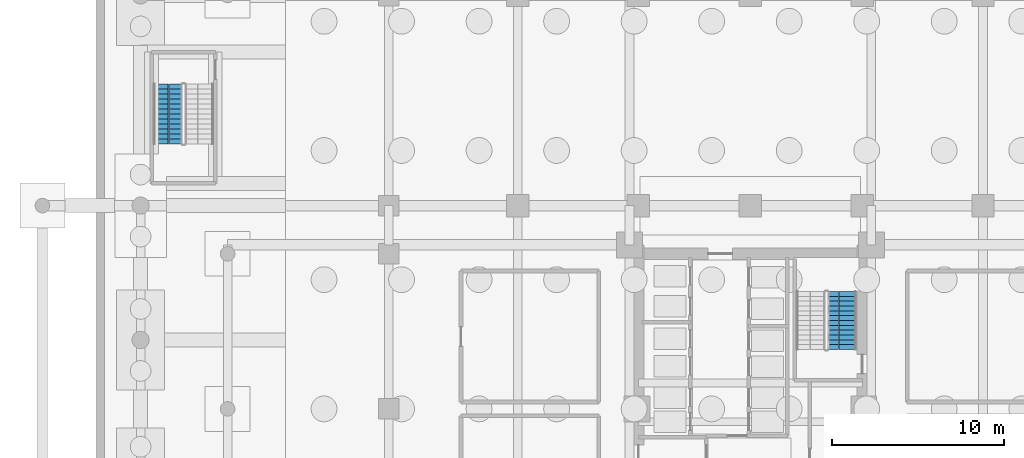
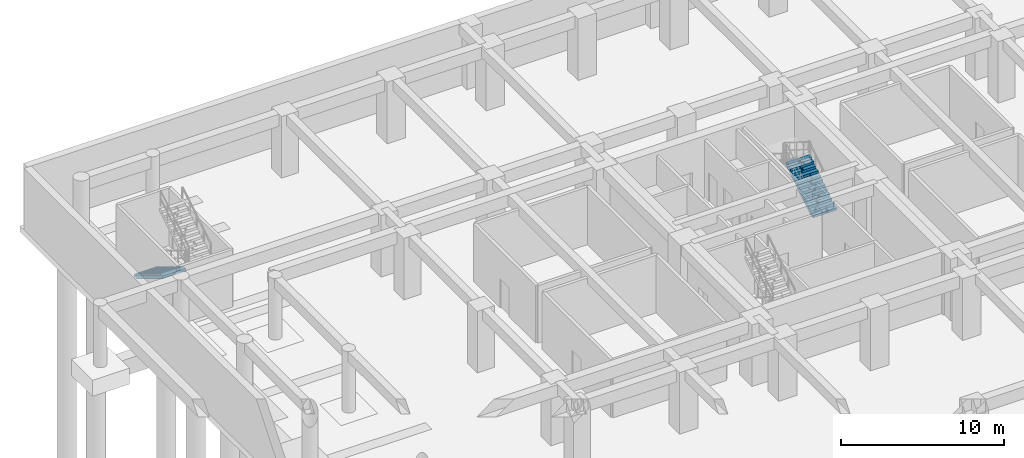
# One storey, part 7 of 14: 2 stair flights, 2 elements without a shape of their own.
"""IFC4 building model written with IfcOpenShell, lengths in metres."""

from ifc_helpers import new_model, si_unit, direction, frame, origin, place, context, subcontext, project, spatial, polyline, outline, extrude, material, type_object, element, aggregate, save


model = new_model("IFC4")

# Units and contexts
model_context = context("Model", 3, precision=1e-05, world=origin(), true_north=direction((0.0, 1.0)))
body_context = subcontext(model_context, "Body", "Model", "MODEL_VIEW")
ifc_project = project(units=[si_unit("LENGTHUNIT", "METRE"), si_unit("AREAUNIT", "SQUARE_METRE"), si_unit("VOLUMEUNIT", "CUBIC_METRE"), si_unit("PLANEANGLEUNIT", "RADIAN"), si_unit("MASSUNIT", "GRAM", prefix="KILO")], contexts=[model_context])

# Site, building, storey
site_placement = place(None, origin())
site = spatial("IfcSite", under=ifc_project, at=site_placement, CompositionType="ELEMENT")
building_placement = place(site_placement, origin())
building = spatial("IfcBuilding", under=site, at=building_placement, Name="Saelheon Loggia Tower", CompositionType="ELEMENT")
storey_placement = place(building_placement, frame((0.0, 0.0, -9.199951171875)))
storey = spatial("IfcBuildingStorey", under=building, at=storey_placement, Name="B2", CompositionType="ELEMENT", Elevation=-9.199951171875)

# Stair, stair flight
ifc_material = material(Name="Concrete C40/50", Category="concrete")
stair_type_1 = type_object("IfcStairType", Name="Stair_Escape_Podium", PredefinedType="HALF_TURN_STAIR", material=ifc_material)
stair_1_placement = place(storey_placement, origin())
stair_1 = element("IfcStair", 1, at=stair_1_placement, inside=storey, type_object=stair_type_1, Name="B2 Podium Escape Stair ST3", PredefinedType="HALF_TURN_STAIR")
stair_flight_type_1 = type_object("IfcStairFlightType", Name="StairFlight_Podium_1660", PredefinedType="STRAIGHT", material=ifc_material)
stair_flight_1_placement = place(storey_placement, frame((4.179931640625, 45.85009765625, 0.0), z_axis=(0.0, 0.0, 1.0), x_axis=(0.0, -1.0, 0.0)))
stair_flight_1 = element("IfcStairFlight", 2, at=stair_flight_1_placement, type_object=stair_flight_type_1, Name="ST3 flight 1", NumberOfRisers=13, NumberOfTreads=12, PredefinedType="STRAIGHT", RiserHeight=0.176923077, TreadLength=0.29, context=body_context, shape_type="SweptSolid", body=[
    extrude(outline(polyline([(0.0, 0.0), (0.0, 0.177001953125), (0.2900390625, 0.177001953125), (0.2900390625, 0.353759765625), (0.580078125, 0.353759765625), (0.580078125, 0.53076171875), (0.8701171875, 0.53076171875), (0.8701171875, 0.707763671875), (1.159912109375, 0.707763671875), (1.159912109375, 0.884521484375), (1.449951171875, 0.884521484375), (1.449951171875, 1.0615234375), (1.739990234375, 1.0615234375), (1.739990234375, 1.238525390625), (2.030029296875, 1.238525390625), (2.030029296875, 1.415283203125), (2.320068359375, 1.415283203125), (2.320068359375, 1.59228515625), (2.610107421875, 1.59228515625), (2.610107421875, 1.769287109375), (2.89990234375, 1.769287109375), (2.89990234375, 1.946044921875), (3.18994140625, 1.946044921875), (3.18994140625, 2.123046875), (3.47998046875, 2.123046875), (3.47998046875, 2.300048828125), (3.47998046875, 1.912353515625), (0.345458984375, 0.0), (0.0, 0.0)])), frame((0.0, -0.2490234375, 0.0), z_axis=(0.0, -1.0, 0.0), x_axis=(1.0, 0.0, 0.0)), (0.0, 0.0, 1.0), 0.5810546875),
    extrude(outline(polyline([(0.0, 0.0), (0.0, 0.177001953125), (0.2900390625, 0.177001953125), (0.2900390625, 0.353759765625), (0.580078125, 0.353759765625), (0.580078125, 0.53076171875), (0.8701171875, 0.53076171875), (0.8701171875, 0.707763671875), (1.159912109375, 0.707763671875), (1.159912109375, 0.884521484375), (1.449951171875, 0.884521484375), (1.449951171875, 1.0615234375), (1.739990234375, 1.0615234375), (1.739990234375, 1.238525390625), (2.030029296875, 1.238525390625), (2.030029296875, 1.415283203125), (2.320068359375, 1.415283203125), (2.320068359375, 1.59228515625), (2.610107421875, 1.59228515625), (2.610107421875, 1.769287109375), (2.89990234375, 1.769287109375), (2.89990234375, 1.946044921875), (3.18994140625, 1.946044921875), (3.18994140625, 2.123046875), (3.47998046875, 2.123046875), (3.47998046875, 2.300048828125), (3.47998046875, 1.912353515625), (0.345458984375, 0.0), (0.0, 0.0)])), frame((0.0, -0.194091796875, 0.0), z_axis=(0.0, -1.0, 0.0), x_axis=(1.0, 0.0, 0.0)), (0.0, 0.0, 1.0), 0.0498046875),
    extrude(outline(polyline([(0.0, 0.0), (0.0, 0.177001953125), (0.2900390625, 0.177001953125), (0.2900390625, 0.353759765625), (0.580078125, 0.353759765625), (0.580078125, 0.53076171875), (0.8701171875, 0.53076171875), (0.8701171875, 0.707763671875), (1.159912109375, 0.707763671875), (1.159912109375, 0.884521484375), (1.449951171875, 0.884521484375), (1.449951171875, 1.0615234375), (1.739990234375, 1.0615234375), (1.739990234375, 1.238525390625), (2.030029296875, 1.238525390625), (2.030029296875, 1.415283203125), (2.320068359375, 1.415283203125), (2.320068359375, 1.59228515625), (2.610107421875, 1.59228515625), (2.610107421875, 1.769287109375), (2.89990234375, 1.769287109375), (2.89990234375, 1.946044921875), (3.18994140625, 1.946044921875), (3.18994140625, 2.123046875), (3.47998046875, 2.123046875), (3.47998046875, 2.300048828125), (3.47998046875, 1.912353515625), (0.345458984375, 0.0), (0.0, 0.0)])), frame((0.0, -0.139404296875, 0.0), z_axis=(0.0, -1.0, 0.0), x_axis=(1.0, 0.0, 0.0)), (0.0, 0.0, 1.0), 0.0498046875),
    extrude(outline(polyline([(0.0, 0.0), (0.0, 0.177001953125), (0.2900390625, 0.177001953125), (0.2900390625, 0.353759765625), (0.580078125, 0.353759765625), (0.580078125, 0.53076171875), (0.8701171875, 0.53076171875), (0.8701171875, 0.707763671875), (1.159912109375, 0.707763671875), (1.159912109375, 0.884521484375), (1.449951171875, 0.884521484375), (1.449951171875, 1.0615234375), (1.739990234375, 1.0615234375), (1.739990234375, 1.238525390625), (2.030029296875, 1.238525390625), (2.030029296875, 1.415283203125), (2.320068359375, 1.415283203125), (2.320068359375, 1.59228515625), (2.610107421875, 1.59228515625), (2.610107421875, 1.769287109375), (2.89990234375, 1.769287109375), (2.89990234375, 1.946044921875), (3.18994140625, 1.946044921875), (3.18994140625, 2.123046875), (3.47998046875, 2.123046875), (3.47998046875, 2.300048828125), (3.47998046875, 1.912353515625), (0.345458984375, 0.0), (0.0, 0.0)])), frame((0.0, -0.084716796875, 0.0), z_axis=(0.0, -1.0, 0.0), x_axis=(1.0, 0.0, 0.0)), (0.0, 0.0, 1.0), 0.0498046875),
    extrude(outline(polyline([(0.0, 0.0), (0.0, 0.177001953125), (0.2900390625, 0.177001953125), (0.2900390625, 0.353759765625), (0.580078125, 0.353759765625), (0.580078125, 0.53076171875), (0.8701171875, 0.53076171875), (0.8701171875, 0.707763671875), (1.159912109375, 0.707763671875), (1.159912109375, 0.884521484375), (1.449951171875, 0.884521484375), (1.449951171875, 1.0615234375), (1.739990234375, 1.0615234375), (1.739990234375, 1.238525390625), (2.030029296875, 1.238525390625), (2.030029296875, 1.415283203125), (2.320068359375, 1.415283203125), (2.320068359375, 1.59228515625), (2.610107421875, 1.59228515625), (2.610107421875, 1.769287109375), (2.89990234375, 1.769287109375), (2.89990234375, 1.946044921875), (3.18994140625, 1.946044921875), (3.18994140625, 2.123046875), (3.47998046875, 2.123046875), (3.47998046875, 2.300048828125), (3.47998046875, 1.912353515625), (0.345458984375, 0.0), (0.0, 0.0)])), frame((0.0, -0.02978515625, 0.0), z_axis=(0.0, -1.0, 0.0), x_axis=(1.0, 0.0, 0.0)), (0.0, 0.0, 1.0), 0.0498046875),
    extrude(outline(polyline([(0.0, 0.0), (0.0, 0.177001953125), (0.2900390625, 0.177001953125), (0.2900390625, 0.353759765625), (0.580078125, 0.353759765625), (0.580078125, 0.53076171875), (0.8701171875, 0.53076171875), (0.8701171875, 0.707763671875), (1.159912109375, 0.707763671875), (1.159912109375, 0.884521484375), (1.449951171875, 0.884521484375), (1.449951171875, 1.0615234375), (1.739990234375, 1.0615234375), (1.739990234375, 1.238525390625), (2.030029296875, 1.238525390625), (2.030029296875, 1.415283203125), (2.320068359375, 1.415283203125), (2.320068359375, 1.59228515625), (2.610107421875, 1.59228515625), (2.610107421875, 1.769287109375), (2.89990234375, 1.769287109375), (2.89990234375, 1.946044921875), (3.18994140625, 1.946044921875), (3.18994140625, 2.123046875), (3.47998046875, 2.123046875), (3.47998046875, 2.300048828125), (3.47998046875, 1.912353515625), (0.345458984375, 0.0), (0.0, 0.0)])), frame((0.0, 0.02490234375, 0.0), z_axis=(0.0, -1.0, 0.0), x_axis=(1.0, 0.0, 0.0)), (0.0, 0.0, 1.0), 0.0498046875),
    extrude(outline(polyline([(0.0, 0.0), (0.0, 0.177001953125), (0.2900390625, 0.177001953125), (0.2900390625, 0.353759765625), (0.580078125, 0.353759765625), (0.580078125, 0.53076171875), (0.8701171875, 0.53076171875), (0.8701171875, 0.707763671875), (1.159912109375, 0.707763671875), (1.159912109375, 0.884521484375), (1.449951171875, 0.884521484375), (1.449951171875, 1.0615234375), (1.739990234375, 1.0615234375), (1.739990234375, 1.238525390625), (2.030029296875, 1.238525390625), (2.030029296875, 1.415283203125), (2.320068359375, 1.415283203125), (2.320068359375, 1.59228515625), (2.610107421875, 1.59228515625), (2.610107421875, 1.769287109375), (2.89990234375, 1.769287109375), (2.89990234375, 1.946044921875), (3.18994140625, 1.946044921875), (3.18994140625, 2.123046875), (3.47998046875, 2.123046875), (3.47998046875, 2.300048828125), (3.47998046875, 1.912353515625), (0.345458984375, 0.0), (0.0, 0.0)])), frame((0.0, 0.07958984375, 0.0), z_axis=(0.0, -1.0, 0.0), x_axis=(1.0, 0.0, 0.0)), (0.0, 0.0, 1.0), 0.0498046875),
    extrude(outline(polyline([(0.0, 0.0), (0.0, 0.177001953125), (0.2900390625, 0.177001953125), (0.2900390625, 0.353759765625), (0.580078125, 0.353759765625), (0.580078125, 0.53076171875), (0.8701171875, 0.53076171875), (0.8701171875, 0.707763671875), (1.159912109375, 0.707763671875), (1.159912109375, 0.884521484375), (1.449951171875, 0.884521484375), (1.449951171875, 1.0615234375), (1.739990234375, 1.0615234375), (1.739990234375, 1.238525390625), (2.030029296875, 1.238525390625), (2.030029296875, 1.415283203125), (2.320068359375, 1.415283203125), (2.320068359375, 1.59228515625), (2.610107421875, 1.59228515625), (2.610107421875, 1.769287109375), (2.89990234375, 1.769287109375), (2.89990234375, 1.946044921875), (3.18994140625, 1.946044921875), (3.18994140625, 2.123046875), (3.47998046875, 2.123046875), (3.47998046875, 2.300048828125), (3.47998046875, 1.912353515625), (0.345458984375, 0.0), (0.0, 0.0)])), frame((0.0, 0.134521484375, 0.0), z_axis=(0.0, -1.0, 0.0), x_axis=(1.0, 0.0, 0.0)), (0.0, 0.0, 1.0), 0.0498046875),
    extrude(outline(polyline([(0.0, 0.0), (0.0, 0.177001953125), (0.2900390625, 0.177001953125), (0.2900390625, 0.353759765625), (0.580078125, 0.353759765625), (0.580078125, 0.53076171875), (0.8701171875, 0.53076171875), (0.8701171875, 0.707763671875), (1.159912109375, 0.707763671875), (1.159912109375, 0.884521484375), (1.449951171875, 0.884521484375), (1.449951171875, 1.0615234375), (1.739990234375, 1.0615234375), (1.739990234375, 1.238525390625), (2.030029296875, 1.238525390625), (2.030029296875, 1.415283203125), (2.320068359375, 1.415283203125), (2.320068359375, 1.59228515625), (2.610107421875, 1.59228515625), (2.610107421875, 1.769287109375), (2.89990234375, 1.769287109375), (2.89990234375, 1.946044921875), (3.18994140625, 1.946044921875), (3.18994140625, 2.123046875), (3.47998046875, 2.123046875), (3.47998046875, 2.300048828125), (3.47998046875, 1.912353515625), (0.345458984375, 0.0), (0.0, 0.0)])), frame((0.0, 0.189208984375, 0.0), z_axis=(0.0, -1.0, 0.0), x_axis=(1.0, 0.0, 0.0)), (0.0, 0.0, 1.0), 0.0498046875),
    extrude(outline(polyline([(0.0, 0.0), (0.0, 0.177001953125), (0.2900390625, 0.177001953125), (0.2900390625, 0.353759765625), (0.580078125, 0.353759765625), (0.580078125, 0.53076171875), (0.8701171875, 0.53076171875), (0.8701171875, 0.707763671875), (1.159912109375, 0.707763671875), (1.159912109375, 0.884521484375), (1.449951171875, 0.884521484375), (1.449951171875, 1.0615234375), (1.739990234375, 1.0615234375), (1.739990234375, 1.238525390625), (2.030029296875, 1.238525390625), (2.030029296875, 1.415283203125), (2.320068359375, 1.415283203125), (2.320068359375, 1.59228515625), (2.610107421875, 1.59228515625), (2.610107421875, 1.769287109375), (2.89990234375, 1.769287109375), (2.89990234375, 1.946044921875), (3.18994140625, 1.946044921875), (3.18994140625, 2.123046875), (3.47998046875, 2.123046875), (3.47998046875, 2.300048828125), (3.47998046875, 1.912353515625), (0.345458984375, 0.0), (0.0, 0.0)])), frame((0.0, 0.243896484375, 0.0), z_axis=(0.0, -1.0, 0.0), x_axis=(1.0, 0.0, 0.0)), (0.0, 0.0, 1.0), 0.0498046875),
    extrude(outline(polyline([(0.0, 0.0), (0.0, 0.177001953125), (0.2900390625, 0.177001953125), (0.2900390625, 0.353759765625), (0.580078125, 0.353759765625), (0.580078125, 0.53076171875), (0.8701171875, 0.53076171875), (0.8701171875, 0.707763671875), (1.159912109375, 0.707763671875), (1.159912109375, 0.884521484375), (1.449951171875, 0.884521484375), (1.449951171875, 1.0615234375), (1.739990234375, 1.0615234375), (1.739990234375, 1.238525390625), (2.030029296875, 1.238525390625), (2.030029296875, 1.415283203125), (2.320068359375, 1.415283203125), (2.320068359375, 1.59228515625), (2.610107421875, 1.59228515625), (2.610107421875, 1.769287109375), (2.89990234375, 1.769287109375), (2.89990234375, 1.946044921875), (3.18994140625, 1.946044921875), (3.18994140625, 2.123046875), (3.47998046875, 2.123046875), (3.47998046875, 2.300048828125), (3.47998046875, 1.912353515625), (0.345458984375, 0.0), (0.0, 0.0)])), frame((0.0, 0.830078125, 0.0), z_axis=(0.0, -1.0, 0.0), x_axis=(1.0, 0.0, 0.0)), (0.0, 0.0, 1.0), 0.5810546875),
])
aggregate(stair_1, [stair_flight_1])

stair_type_2 = type_object("IfcStairType", Name="Stair_Escape_Core", PredefinedType="HALF_TURN_STAIR", material=ifc_material)
stair_2_placement = place(storey_placement, origin())
stair_2 = element("IfcStair", 3, at=stair_2_placement, inside=storey, type_object=stair_type_2, Name="B2 Special Escape Stair ST2", PredefinedType="HALF_TURN_STAIR")
stair_flight_type_2 = type_object("IfcStairFlightType", Name="StairFlight_Tower_1660", PredefinedType="STRAIGHT", material=ifc_material)
stair_flight_2_placement = place(storey_placement, frame((43.320068359375, 30.449951171875, 0.0), z_axis=(0.0, 0.0, 1.0), x_axis=(0.0, 1.0, 0.0)))
stair_flight_2 = element("IfcStairFlight", 4, at=stair_flight_2_placement, type_object=stair_flight_type_2, Name="ST2 flight 1", NumberOfRisers=13, NumberOfTreads=12, PredefinedType="STRAIGHT", RiserHeight=0.176923077, TreadLength=0.28, context=body_context, shape_type="SweptSolid", body=[
    extrude(outline(polyline([(0.0, 0.0), (0.0, 0.177001953125), (0.280029296875, 0.177001953125), (0.280029296875, 0.353759765625), (0.56005859375, 0.353759765625), (0.56005859375, 0.53076171875), (0.840087890625, 0.53076171875), (0.840087890625, 0.707763671875), (1.1201171875, 0.707763671875), (1.1201171875, 0.884521484375), (1.39990234375, 0.884521484375), (1.39990234375, 1.0615234375), (1.679931640625, 1.0615234375), (1.679931640625, 1.238525390625), (1.9599609375, 1.238525390625), (1.9599609375, 1.415283203125), (2.239990234375, 1.415283203125), (2.239990234375, 1.59228515625), (2.52001953125, 1.59228515625), (2.52001953125, 1.769287109375), (2.800048828125, 1.769287109375), (2.800048828125, 1.946044921875), (3.080078125, 1.946044921875), (3.080078125, 2.123046875), (3.360107421875, 2.123046875), (3.360107421875, 2.300048828125), (3.360107421875, 1.91015625), (0.3369140625, 0.0), (0.0, 0.0)])), frame((0.0, -0.2490234375, 0.0), z_axis=(0.0, -1.0, 0.0), x_axis=(1.0, 0.0, 0.0)), (0.0, 0.0, 1.0), 0.5810546875),
    extrude(outline(polyline([(0.0, 0.0), (0.0, 0.177001953125), (0.280029296875, 0.177001953125), (0.280029296875, 0.353759765625), (0.56005859375, 0.353759765625), (0.56005859375, 0.53076171875), (0.840087890625, 0.53076171875), (0.840087890625, 0.707763671875), (1.1201171875, 0.707763671875), (1.1201171875, 0.884521484375), (1.39990234375, 0.884521484375), (1.39990234375, 1.0615234375), (1.679931640625, 1.0615234375), (1.679931640625, 1.238525390625), (1.9599609375, 1.238525390625), (1.9599609375, 1.415283203125), (2.239990234375, 1.415283203125), (2.239990234375, 1.59228515625), (2.52001953125, 1.59228515625), (2.52001953125, 1.769287109375), (2.800048828125, 1.769287109375), (2.800048828125, 1.946044921875), (3.080078125, 1.946044921875), (3.080078125, 2.123046875), (3.360107421875, 2.123046875), (3.360107421875, 2.300048828125), (3.360107421875, 1.91015625), (0.3369140625, 0.0), (0.0, 0.0)])), frame((0.0, -0.194091796875, 0.0), z_axis=(0.0, -1.0, 0.0), x_axis=(1.0, 0.0, 0.0)), (0.0, 0.0, 1.0), 0.0498046875),
    extrude(outline(polyline([(0.0, 0.0), (0.0, 0.177001953125), (0.280029296875, 0.177001953125), (0.280029296875, 0.353759765625), (0.56005859375, 0.353759765625), (0.56005859375, 0.53076171875), (0.840087890625, 0.53076171875), (0.840087890625, 0.707763671875), (1.1201171875, 0.707763671875), (1.1201171875, 0.884521484375), (1.39990234375, 0.884521484375), (1.39990234375, 1.0615234375), (1.679931640625, 1.0615234375), (1.679931640625, 1.238525390625), (1.9599609375, 1.238525390625), (1.9599609375, 1.415283203125), (2.239990234375, 1.415283203125), (2.239990234375, 1.59228515625), (2.52001953125, 1.59228515625), (2.52001953125, 1.769287109375), (2.800048828125, 1.769287109375), (2.800048828125, 1.946044921875), (3.080078125, 1.946044921875), (3.080078125, 2.123046875), (3.360107421875, 2.123046875), (3.360107421875, 2.300048828125), (3.360107421875, 1.91015625), (0.3369140625, 0.0), (0.0, 0.0)])), frame((0.0, -0.139404296875, 0.0), z_axis=(0.0, -1.0, 0.0), x_axis=(1.0, 0.0, 0.0)), (0.0, 0.0, 1.0), 0.0498046875),
    extrude(outline(polyline([(0.0, 0.0), (0.0, 0.177001953125), (0.280029296875, 0.177001953125), (0.280029296875, 0.353759765625), (0.56005859375, 0.353759765625), (0.56005859375, 0.53076171875), (0.840087890625, 0.53076171875), (0.840087890625, 0.707763671875), (1.1201171875, 0.707763671875), (1.1201171875, 0.884521484375), (1.39990234375, 0.884521484375), (1.39990234375, 1.0615234375), (1.679931640625, 1.0615234375), (1.679931640625, 1.238525390625), (1.9599609375, 1.238525390625), (1.9599609375, 1.415283203125), (2.239990234375, 1.415283203125), (2.239990234375, 1.59228515625), (2.52001953125, 1.59228515625), (2.52001953125, 1.769287109375), (2.800048828125, 1.769287109375), (2.800048828125, 1.946044921875), (3.080078125, 1.946044921875), (3.080078125, 2.123046875), (3.360107421875, 2.123046875), (3.360107421875, 2.300048828125), (3.360107421875, 1.91015625), (0.3369140625, 0.0), (0.0, 0.0)])), frame((0.0, -0.084716796875, 0.0), z_axis=(0.0, -1.0, 0.0), x_axis=(1.0, 0.0, 0.0)), (0.0, 0.0, 1.0), 0.0498046875),
    extrude(outline(polyline([(0.0, 0.0), (0.0, 0.177001953125), (0.280029296875, 0.177001953125), (0.280029296875, 0.353759765625), (0.56005859375, 0.353759765625), (0.56005859375, 0.53076171875), (0.840087890625, 0.53076171875), (0.840087890625, 0.707763671875), (1.1201171875, 0.707763671875), (1.1201171875, 0.884521484375), (1.39990234375, 0.884521484375), (1.39990234375, 1.0615234375), (1.679931640625, 1.0615234375), (1.679931640625, 1.238525390625), (1.9599609375, 1.238525390625), (1.9599609375, 1.415283203125), (2.239990234375, 1.415283203125), (2.239990234375, 1.59228515625), (2.52001953125, 1.59228515625), (2.52001953125, 1.769287109375), (2.800048828125, 1.769287109375), (2.800048828125, 1.946044921875), (3.080078125, 1.946044921875), (3.080078125, 2.123046875), (3.360107421875, 2.123046875), (3.360107421875, 2.300048828125), (3.360107421875, 1.91015625), (0.3369140625, 0.0), (0.0, 0.0)])), frame((0.0, -0.02978515625, 0.0), z_axis=(0.0, -1.0, 0.0), x_axis=(1.0, 0.0, 0.0)), (0.0, 0.0, 1.0), 0.0498046875),
    extrude(outline(polyline([(0.0, 0.0), (0.0, 0.177001953125), (0.280029296875, 0.177001953125), (0.280029296875, 0.353759765625), (0.56005859375, 0.353759765625), (0.56005859375, 0.53076171875), (0.840087890625, 0.53076171875), (0.840087890625, 0.707763671875), (1.1201171875, 0.707763671875), (1.1201171875, 0.884521484375), (1.39990234375, 0.884521484375), (1.39990234375, 1.0615234375), (1.679931640625, 1.0615234375), (1.679931640625, 1.238525390625), (1.9599609375, 1.238525390625), (1.9599609375, 1.415283203125), (2.239990234375, 1.415283203125), (2.239990234375, 1.59228515625), (2.52001953125, 1.59228515625), (2.52001953125, 1.769287109375), (2.800048828125, 1.769287109375), (2.800048828125, 1.946044921875), (3.080078125, 1.946044921875), (3.080078125, 2.123046875), (3.360107421875, 2.123046875), (3.360107421875, 2.300048828125), (3.360107421875, 1.91015625), (0.3369140625, 0.0), (0.0, 0.0)])), frame((0.0, 0.02490234375, 0.0), z_axis=(0.0, -1.0, 0.0), x_axis=(1.0, 0.0, 0.0)), (0.0, 0.0, 1.0), 0.0498046875),
    extrude(outline(polyline([(0.0, 0.0), (0.0, 0.177001953125), (0.280029296875, 0.177001953125), (0.280029296875, 0.353759765625), (0.56005859375, 0.353759765625), (0.56005859375, 0.53076171875), (0.840087890625, 0.53076171875), (0.840087890625, 0.707763671875), (1.1201171875, 0.707763671875), (1.1201171875, 0.884521484375), (1.39990234375, 0.884521484375), (1.39990234375, 1.0615234375), (1.679931640625, 1.0615234375), (1.679931640625, 1.238525390625), (1.9599609375, 1.238525390625), (1.9599609375, 1.415283203125), (2.239990234375, 1.415283203125), (2.239990234375, 1.59228515625), (2.52001953125, 1.59228515625), (2.52001953125, 1.769287109375), (2.800048828125, 1.769287109375), (2.800048828125, 1.946044921875), (3.080078125, 1.946044921875), (3.080078125, 2.123046875), (3.360107421875, 2.123046875), (3.360107421875, 2.300048828125), (3.360107421875, 1.91015625), (0.3369140625, 0.0), (0.0, 0.0)])), frame((0.0, 0.07958984375, 0.0), z_axis=(0.0, -1.0, 0.0), x_axis=(1.0, 0.0, 0.0)), (0.0, 0.0, 1.0), 0.0498046875),
    extrude(outline(polyline([(0.0, 0.0), (0.0, 0.177001953125), (0.280029296875, 0.177001953125), (0.280029296875, 0.353759765625), (0.56005859375, 0.353759765625), (0.56005859375, 0.53076171875), (0.840087890625, 0.53076171875), (0.840087890625, 0.707763671875), (1.1201171875, 0.707763671875), (1.1201171875, 0.884521484375), (1.39990234375, 0.884521484375), (1.39990234375, 1.0615234375), (1.679931640625, 1.0615234375), (1.679931640625, 1.238525390625), (1.9599609375, 1.238525390625), (1.9599609375, 1.415283203125), (2.239990234375, 1.415283203125), (2.239990234375, 1.59228515625), (2.52001953125, 1.59228515625), (2.52001953125, 1.769287109375), (2.800048828125, 1.769287109375), (2.800048828125, 1.946044921875), (3.080078125, 1.946044921875), (3.080078125, 2.123046875), (3.360107421875, 2.123046875), (3.360107421875, 2.300048828125), (3.360107421875, 1.91015625), (0.3369140625, 0.0), (0.0, 0.0)])), frame((0.0, 0.134521484375, 0.0), z_axis=(0.0, -1.0, 0.0), x_axis=(1.0, 0.0, 0.0)), (0.0, 0.0, 1.0), 0.0498046875),
    extrude(outline(polyline([(0.0, 0.0), (0.0, 0.177001953125), (0.280029296875, 0.177001953125), (0.280029296875, 0.353759765625), (0.56005859375, 0.353759765625), (0.56005859375, 0.53076171875), (0.840087890625, 0.53076171875), (0.840087890625, 0.707763671875), (1.1201171875, 0.707763671875), (1.1201171875, 0.884521484375), (1.39990234375, 0.884521484375), (1.39990234375, 1.0615234375), (1.679931640625, 1.0615234375), (1.679931640625, 1.238525390625), (1.9599609375, 1.238525390625), (1.9599609375, 1.415283203125), (2.239990234375, 1.415283203125), (2.239990234375, 1.59228515625), (2.52001953125, 1.59228515625), (2.52001953125, 1.769287109375), (2.800048828125, 1.769287109375), (2.800048828125, 1.946044921875), (3.080078125, 1.946044921875), (3.080078125, 2.123046875), (3.360107421875, 2.123046875), (3.360107421875, 2.300048828125), (3.360107421875, 1.91015625), (0.3369140625, 0.0), (0.0, 0.0)])), frame((0.0, 0.189208984375, 0.0), z_axis=(0.0, -1.0, 0.0), x_axis=(1.0, 0.0, 0.0)), (0.0, 0.0, 1.0), 0.0498046875),
    extrude(outline(polyline([(0.0, 0.0), (0.0, 0.177001953125), (0.280029296875, 0.177001953125), (0.280029296875, 0.353759765625), (0.56005859375, 0.353759765625), (0.56005859375, 0.53076171875), (0.840087890625, 0.53076171875), (0.840087890625, 0.707763671875), (1.1201171875, 0.707763671875), (1.1201171875, 0.884521484375), (1.39990234375, 0.884521484375), (1.39990234375, 1.0615234375), (1.679931640625, 1.0615234375), (1.679931640625, 1.238525390625), (1.9599609375, 1.238525390625), (1.9599609375, 1.415283203125), (2.239990234375, 1.415283203125), (2.239990234375, 1.59228515625), (2.52001953125, 1.59228515625), (2.52001953125, 1.769287109375), (2.800048828125, 1.769287109375), (2.800048828125, 1.946044921875), (3.080078125, 1.946044921875), (3.080078125, 2.123046875), (3.360107421875, 2.123046875), (3.360107421875, 2.300048828125), (3.360107421875, 1.91015625), (0.3369140625, 0.0), (0.0, 0.0)])), frame((0.0, 0.243896484375, 0.0), z_axis=(0.0, -1.0, 0.0), x_axis=(1.0, 0.0, 0.0)), (0.0, 0.0, 1.0), 0.0498046875),
    extrude(outline(polyline([(0.0, 0.0), (0.0, 0.177001953125), (0.280029296875, 0.177001953125), (0.280029296875, 0.353759765625), (0.56005859375, 0.353759765625), (0.56005859375, 0.53076171875), (0.840087890625, 0.53076171875), (0.840087890625, 0.707763671875), (1.1201171875, 0.707763671875), (1.1201171875, 0.884521484375), (1.39990234375, 0.884521484375), (1.39990234375, 1.0615234375), (1.679931640625, 1.0615234375), (1.679931640625, 1.238525390625), (1.9599609375, 1.238525390625), (1.9599609375, 1.415283203125), (2.239990234375, 1.415283203125), (2.239990234375, 1.59228515625), (2.52001953125, 1.59228515625), (2.52001953125, 1.769287109375), (2.800048828125, 1.769287109375), (2.800048828125, 1.946044921875), (3.080078125, 1.946044921875), (3.080078125, 2.123046875), (3.360107421875, 2.123046875), (3.360107421875, 2.300048828125), (3.360107421875, 1.91015625), (0.3369140625, 0.0), (0.0, 0.0)])), frame((0.0, 0.830078125, 0.0), z_axis=(0.0, -1.0, 0.0), x_axis=(1.0, 0.0, 0.0)), (0.0, 0.0, 1.0), 0.5810546875),
])
aggregate(stair_2, [stair_flight_2])

save(model, "model.ifc")
